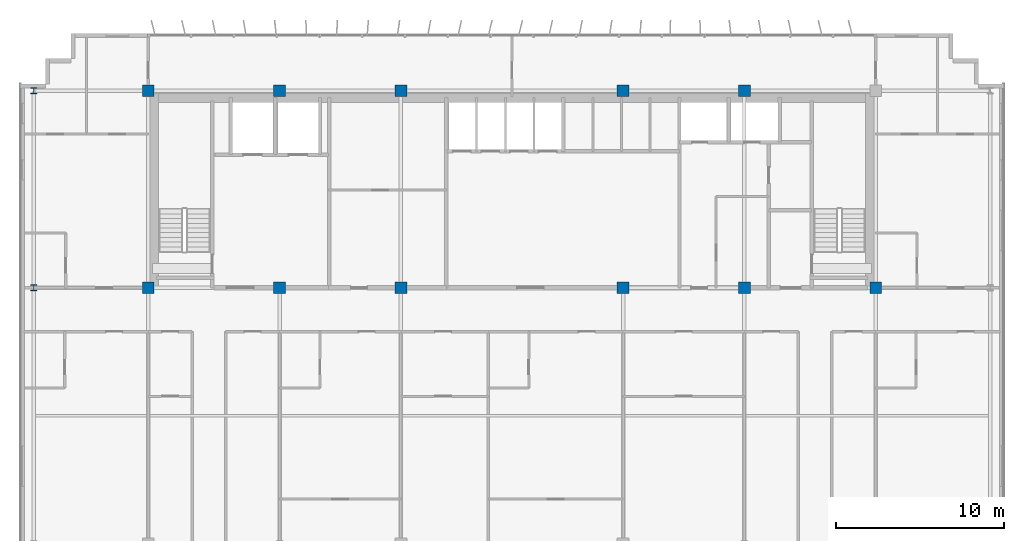
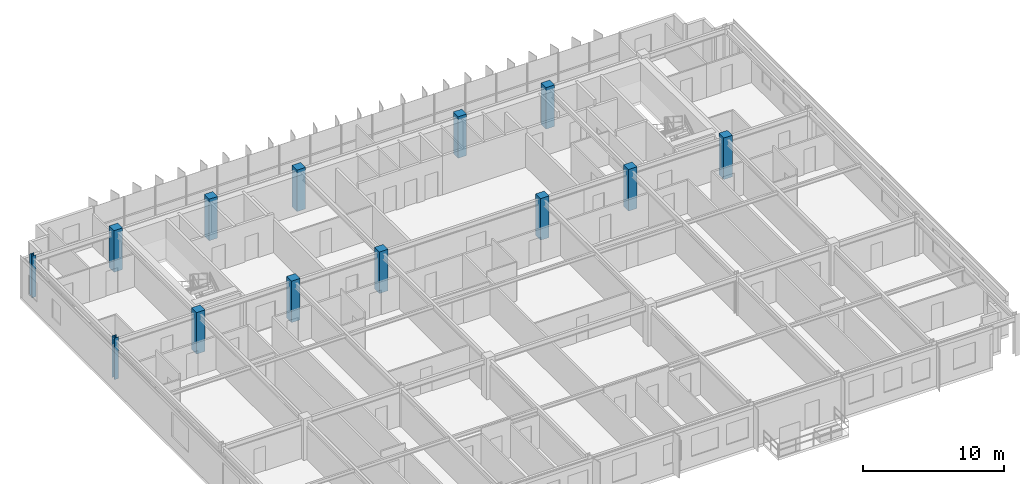
# One storey, part 3 of 23: 13 columns.
"""IFC4 building model written with IfcOpenShell, lengths in metres."""

from ifc_helpers import new_model, si_unit, direction, frame, origin, origin_2d, place, context, subcontext, project, spatial, rectangle, i_section, extrude, source, transform, mapped, material, material_profile, profile_set, type_object, element, save


model = new_model("IFC4")

# Units and contexts
model_context = context("Model", 3, precision=1e-05, world=origin(), true_north=direction((0.0, 1.0)))
body_context = subcontext(model_context, "Body", "Model", "MODEL_VIEW")
ifc_project = project(units=[si_unit("LENGTHUNIT", "METRE"), si_unit("AREAUNIT", "SQUARE_METRE"), si_unit("VOLUMEUNIT", "CUBIC_METRE"), si_unit("PLANEANGLEUNIT", "RADIAN"), si_unit("MASSUNIT", "GRAM", prefix="KILO")], contexts=[model_context])

# Site, building, storey
site_placement = place(None, origin())
site = spatial("IfcSite", under=ifc_project, at=site_placement, CompositionType="ELEMENT")
building_placement = place(site_placement, origin())
building = spatial("IfcBuilding", under=site, at=building_placement, Name="Trelvane Seafront Commons", CompositionType="ELEMENT")
storey_placement = place(building_placement, frame((0.0, 0.0, 212.10009765625)))
storey = spatial("IfcBuildingStorey", under=building, at=storey_placement, Name="L55", CompositionType="ELEMENT", Elevation=212.10009765625)

# Columns
ifc_material_1 = material(Name="Concrete C50/60", Category="concrete")
ifc_material_profile_1 = material_profile(ifc_material_1, rectangle(XDim=0.699951171875, YDim=0.699951171875, at=origin_2d()), Name="RC-700x700")
ifc_profile_set_1 = profile_set([ifc_material_profile_1], Name="Concrete C50/60")
column_type_1 = type_object("IfcColumnType", Name="STR-COL-RC700", PredefinedType="COLUMN", material=ifc_profile_set_1)
shared_shape_1 = source(origin(), body_context, "Body", "SweptSolid", [
    extrude(rectangle(XDim=0.699951171875, YDim=0.699951171875, at=origin_2d()), origin(), (0.0, 0.0, 1.0), 3.599853515625),
])
for number, where, z_axis, x_axis, name in (
    (1, (15.60009765625, 33.39990234375, 0.0), (0.0, 0.0, 1.0), (1.0, 0.0, 0.0), "L55 Column TC-CS15.6"),
    (2, (15.60009765625, 45.10009765625, 0.0), (0.0, 0.0, 1.0), (1.0, 0.0, 0.0), "L55 Column TC-CN15.6"),
    (3, (23.39990234375, 33.39990234375, 0.0), (0.0, 0.0, 1.0), (1.0, 0.0, 0.0), "L55 Column TC-CS23.4"),
    (4, (23.39990234375, 45.10009765625, 0.0), (0.0, 0.0, 1.0), (1.0, 0.0, 0.0), "L55 Column TC-CN23.4"),
    (5, (30.60009765625, 33.39990234375, 0.0), (0.0, 0.0, 1.0), (1.0, 0.0, 0.0), "L55 Column TC-CS30.6"),
    (6, (30.60009765625, 45.10009765625, 0.0), (0.0, 0.0, 1.0), (1.0, 0.0, 0.0), "L55 Column TC-CN30.6"),
    (7, (43.800048828125, 33.39990234375, 0.0), (0.0, 0.0, 1.0), (1.0, 0.0, 0.0), "L55 Column TC-CS43.8"),
    (8, (43.800048828125, 45.10009765625, 0.0), (0.0, 0.0, 1.0), (1.0, 0.0, 0.0), "L55 Column TC-CN43.8"),
    (9, (51.0, 33.39990234375, 0.0), (0.0, 0.0, 1.0), (1.0, 0.0, 0.0), "L55 Column TC-CS51.0"),
    (10, (51.0, 45.10009765625, 0.0), (0.0, 0.0, 1.0), (1.0, 0.0, 0.0), "L55 Column TC-CN51.0"),
    (11, (58.800048828125, 33.39990234375, 0.0), (0.0, 0.0, 1.0), (1.0, 0.0, 0.0), "L55 Column TC-CS58.8"),
):
    element("IfcColumn", number, at=place(storey_placement, frame(where, z_axis=z_axis, x_axis=x_axis)), inside=storey, type_object=column_type_1, Name=name, PredefinedType="COLUMN", context=body_context, shape_type="MappedRepresentation", body=[
        mapped(shared_shape_1, transform((0.0, 0.0, 0.0), x_axis=(1.0, 0.0, 0.0), y_axis=(0.0, 1.0, 0.0), z_axis=(0.0, 0.0, 1.0), scale=1.0)),
    ])
ifc_material_2 = material(Name="Steel SM355 (S355)", Category="steel")
ifc_material_profile_2 = material_profile(ifc_material_2, i_section(OverallWidth=0.35009765625, OverallDepth=0.35009765625, WebThickness=0.01806640625, FlangeThickness=0.028076171875, at=origin_2d()), Name="HD-350x350x18x28")
ifc_profile_set_2 = profile_set([ifc_material_profile_2], Name="Steel SM355 (S355)")
column_type_2 = type_object("IfcColumnType", Name="STR-COL-HD350", PredefinedType="COLUMN", material=ifc_profile_set_2)
shared_shape_2 = source(origin(), body_context, "Body", "SweptSolid", [
    extrude(i_section(OverallWidth=0.35009765625, OverallDepth=0.35009765625, WebThickness=0.01806640625, FlangeThickness=0.028076171875, at=origin_2d()), origin(), (0.0, 0.0, 1.0), 3.599853515625),
])
for number, where, z_axis, x_axis, name in (
    (12, (8.800048828125, 33.39990234375, 0.0), (0.0, 0.0, 1.0), (1.0, 0.0, 0.0), "L55 Column TC-CS8.8"),
    (13, (8.800048828125, 45.10009765625, 0.0), (0.0, 0.0, 1.0), (1.0, 0.0, 0.0), "L55 Column TC-CN8.8"),
):
    element("IfcColumn", number, at=place(storey_placement, frame(where, z_axis=z_axis, x_axis=x_axis)), inside=storey, type_object=column_type_2, Name=name, PredefinedType="COLUMN", context=body_context, shape_type="MappedRepresentation", body=[
        mapped(shared_shape_2, transform((0.0, 0.0, 0.0), x_axis=(1.0, 0.0, 0.0), y_axis=(0.0, 1.0, 0.0), z_axis=(0.0, 0.0, 1.0), scale=1.0)),
    ])

save(model, "model.ifc")
